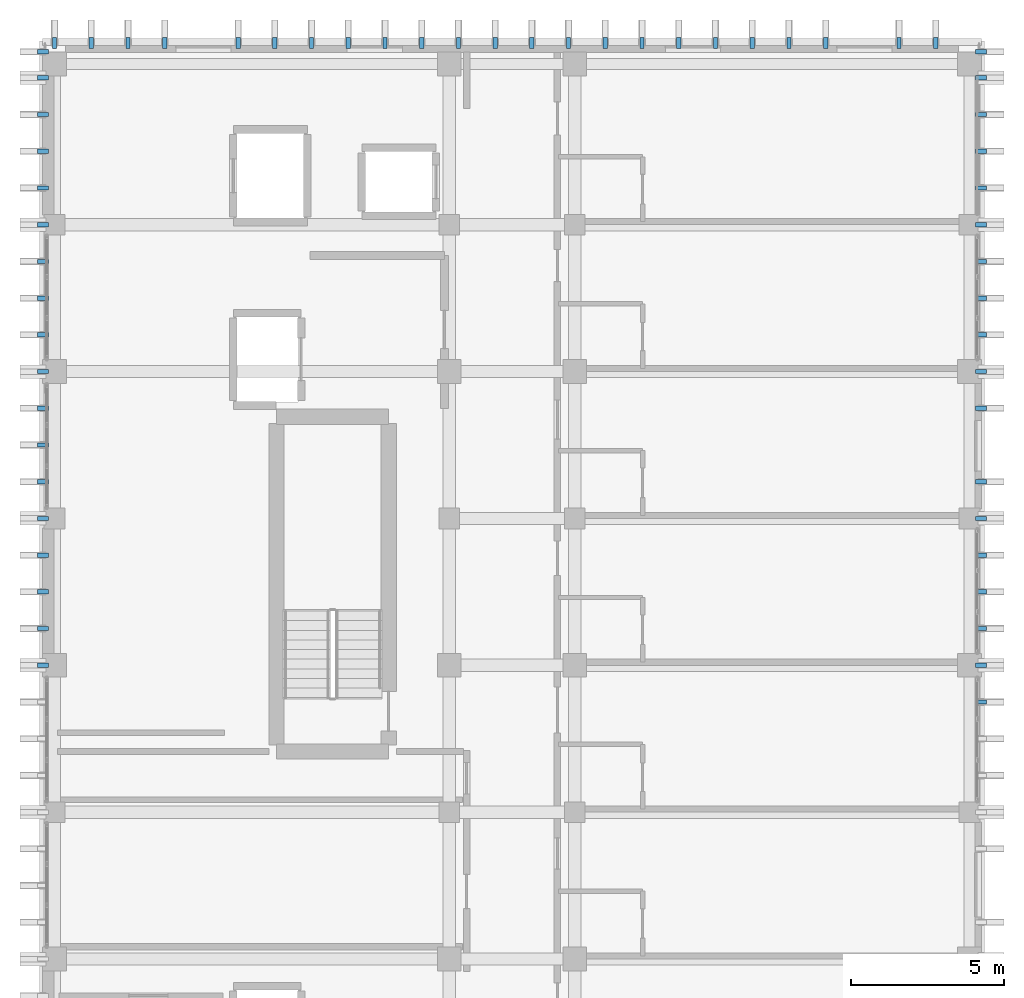
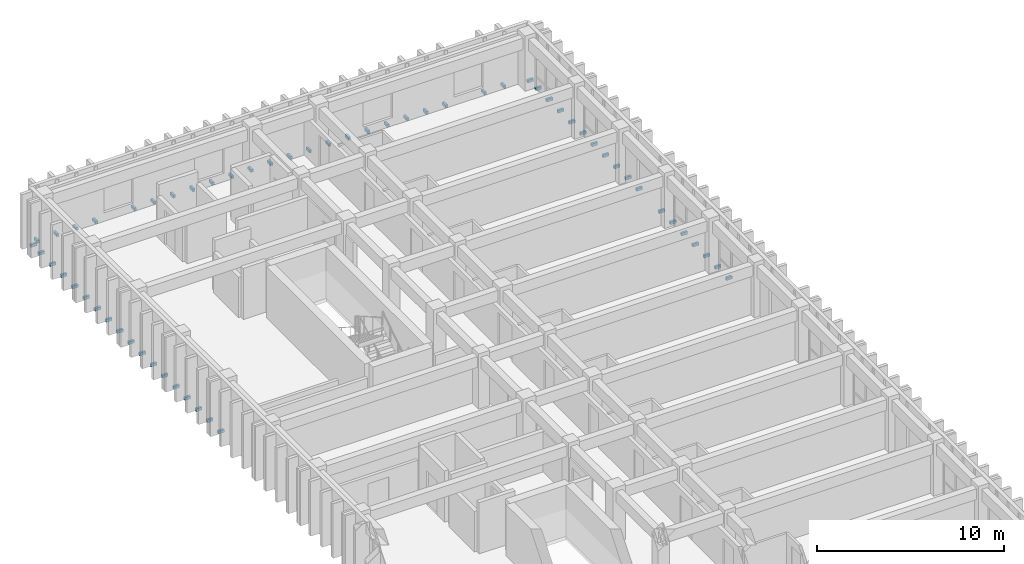
# One storey, part 62 of 68: 59 discrete accessories.
"""IFC4 building model written with IfcOpenShell, lengths in metres."""

from ifc_helpers import new_model, si_unit, direction, frame, origin, origin_2d, place, context, subcontext, project, spatial, rectangle, extrude, material, type_object, element, save


model = new_model("IFC4")

# Units and contexts
model_context = context("Model", 3, precision=1e-05, world=origin(), true_north=direction((0.0, 1.0)))
body_context = subcontext(model_context, "Body", "Model", "MODEL_VIEW")
ifc_project = project(units=[si_unit("LENGTHUNIT", "METRE"), si_unit("AREAUNIT", "SQUARE_METRE"), si_unit("VOLUMEUNIT", "CUBIC_METRE"), si_unit("PLANEANGLEUNIT", "RADIAN"), si_unit("MASSUNIT", "GRAM", prefix="KILO")], contexts=[model_context])

# Site, building, storey
site_placement = place(None, origin())
site = spatial("IfcSite", under=ifc_project, at=site_placement, CompositionType="ELEMENT")
building_placement = place(site_placement, origin())
building = spatial("IfcBuilding", under=site, at=building_placement, Name="Nakhvara Creek Congress Hotel", CompositionType="ELEMENT")
storey_placement = place(building_placement, frame((0.0, 0.0, 24.60009765625)))
storey = spatial("IfcBuildingStorey", under=building, at=storey_placement, Name="L05", CompositionType="ELEMENT", Elevation=24.60009765625)

# Discrete accessories
ifc_material = material(Name="Brushed stainless steel 316L", Category="steel")
discrete_accessory_type = type_object("IfcDiscreteAccessoryType", Name="ACC-BRK-SS316", PredefinedType="BRACKET", material=ifc_material)
for number, where, z_axis, x_axis, name in (
    (1, (179.72998046875, 104.39990234375, -0.10986328125), (0.0, 0.0, 1.0), (0.0, 1.0, 0.0), "Stainless Fin Bracket BK01-1403"),
    (2, (179.72998046875, 105.60009765625, -0.10986328125), (0.0, 0.0, 1.0), (0.0, 1.0, 0.0), "Stainless Fin Bracket BK01-1405"),
    (3, (149.070068359375, 105.60009765625, -0.10986328125), (0.0, 0.0, 1.0), (0.0, 1.0, 0.0), "Stainless Fin Bracket BK01-1406"),
    (4, (179.72998046875, 106.800048828125, -0.10986328125), (0.0, 0.0, 1.0), (0.0, 1.0, 0.0), "Stainless Fin Bracket BK01-1407"),
    (5, (149.070068359375, 106.800048828125, -0.10986328125), (0.0, 0.0, 1.0), (0.0, 1.0, 0.0), "Stainless Fin Bracket BK01-1408"),
    (6, (179.72998046875, 108.0, -0.10986328125), (0.0, 0.0, 1.0), (0.0, 1.0, 0.0), "Stainless Fin Bracket BK01-1409"),
    (7, (149.070068359375, 108.0, -0.10986328125), (0.0, 0.0, 1.0), (0.0, 1.0, 0.0), "Stainless Fin Bracket BK01-1410"),
    (8, (179.72998046875, 109.199951171875, -0.10986328125), (0.0, 0.0, 1.0), (0.0, 1.0, 0.0), "Stainless Fin Bracket BK01-1411"),
    (9, (149.070068359375, 109.199951171875, -0.10986328125), (0.0, 0.0, 1.0), (0.0, 1.0, 0.0), "Stainless Fin Bracket BK01-1412"),
    (10, (179.72998046875, 110.39990234375, -0.10986328125), (0.0, 0.0, 1.0), (0.0, 1.0, 0.0), "Stainless Fin Bracket BK01-1413"),
    (11, (149.070068359375, 110.39990234375, -0.10986328125), (0.0, 0.0, 1.0), (0.0, 1.0, 0.0), "Stainless Fin Bracket BK01-1414"),
    (12, (179.72998046875, 111.60009765625, -0.10986328125), (0.0, 0.0, 1.0), (0.0, 1.0, 0.0), "Stainless Fin Bracket BK01-1415"),
    (13, (149.070068359375, 111.60009765625, -0.10986328125), (0.0, 0.0, 1.0), (0.0, 1.0, 0.0), "Stainless Fin Bracket BK01-1416"),
    (14, (149.070068359375, 112.800048828125, -0.10986328125), (0.0, 0.0, 1.0), (0.0, 1.0, 0.0), "Stainless Fin Bracket BK01-1417"),
    (15, (179.72998046875, 114.0, -0.10986328125), (0.0, 0.0, 1.0), (0.0, 1.0, 0.0), "Stainless Fin Bracket BK01-1418"),
    (16, (149.070068359375, 114.0, -0.10986328125), (0.0, 0.0, 1.0), (0.0, 1.0, 0.0), "Stainless Fin Bracket BK01-1419"),
    (17, (179.72998046875, 115.199951171875, -0.10986328125), (0.0, 0.0, 1.0), (0.0, 1.0, 0.0), "Stainless Fin Bracket BK01-1420"),
    (18, (149.070068359375, 115.199951171875, -0.10986328125), (0.0, 0.0, 1.0), (0.0, 1.0, 0.0), "Stainless Fin Bracket BK01-1421"),
    (19, (179.72998046875, 116.39990234375, -0.10986328125), (0.0, 0.0, 1.0), (0.0, 1.0, 0.0), "Stainless Fin Bracket BK01-1422"),
    (20, (149.070068359375, 116.39990234375, -0.10986328125), (0.0, 0.0, 1.0), (0.0, 1.0, 0.0), "Stainless Fin Bracket BK01-1423"),
    (21, (179.72998046875, 117.60009765625, -0.10986328125), (0.0, 0.0, 1.0), (0.0, 1.0, 0.0), "Stainless Fin Bracket BK01-1424"),
    (22, (149.070068359375, 117.60009765625, -0.10986328125), (0.0, 0.0, 1.0), (0.0, 1.0, 0.0), "Stainless Fin Bracket BK01-1425"),
    (23, (179.72998046875, 118.800048828125, -0.10986328125), (0.0, 0.0, 1.0), (0.0, 1.0, 0.0), "Stainless Fin Bracket BK01-1426"),
    (24, (149.070068359375, 118.800048828125, -0.10986328125), (0.0, 0.0, 1.0), (0.0, 1.0, 0.0), "Stainless Fin Bracket BK01-1427"),
    (25, (179.72998046875, 120.0, -0.10986328125), (0.0, 0.0, 1.0), (0.0, 1.0, 0.0), "Stainless Fin Bracket BK01-1428"),
    (26, (149.070068359375, 120.0, -0.10986328125), (0.0, 0.0, 1.0), (0.0, 1.0, 0.0), "Stainless Fin Bracket BK01-1429"),
    (27, (179.72998046875, 121.199951171875, -0.10986328125), (0.0, 0.0, 1.0), (0.0, 1.0, 0.0), "Stainless Fin Bracket BK01-1430"),
    (28, (149.070068359375, 121.199951171875, -0.10986328125), (0.0, 0.0, 1.0), (0.0, 1.0, 0.0), "Stainless Fin Bracket BK01-1431"),
    (29, (179.72998046875, 122.39990234375, -0.10986328125), (0.0, 0.0, 1.0), (0.0, 1.0, 0.0), "Stainless Fin Bracket BK01-1432"),
    (30, (149.070068359375, 122.39990234375, -0.10986328125), (0.0, 0.0, 1.0), (0.0, 1.0, 0.0), "Stainless Fin Bracket BK01-1433"),
    (31, (179.72998046875, 123.60009765625, -0.10986328125), (0.0, 0.0, 1.0), (0.0, 1.0, 0.0), "Stainless Fin Bracket BK01-1434"),
    (32, (149.070068359375, 123.60009765625, -0.10986328125), (0.0, 0.0, 1.0), (0.0, 1.0, 0.0), "Stainless Fin Bracket BK01-1435"),
    (33, (179.72998046875, 124.800048828125, -0.10986328125), (0.0, 0.0, 1.0), (0.0, 1.0, 0.0), "Stainless Fin Bracket BK01-1436"),
    (34, (149.070068359375, 124.800048828125, -0.10986328125), (0.0, 0.0, 1.0), (0.0, 1.0, 0.0), "Stainless Fin Bracket BK01-1437"),
    (35, (179.72998046875, 125.64990234375, -0.10986328125), (0.0, 0.0, 1.0), (0.0, 1.0, 0.0), "Stainless Fin Bracket BK01-1438"),
    (36, (149.070068359375, 125.64990234375, -0.10986328125), (0.0, 0.0, 1.0), (0.0, 1.0, 0.0), "Stainless Fin Bracket BK01-1439"),
    (37, (149.449951171875, 125.93994140625, -0.10986328125), (0.0, 0.0, 1.0), (1.0, 0.0, 0.0), "Stainless Fin Bracket BK01-1440"),
    (38, (150.64990234375, 125.93994140625, -0.10986328125), (0.0, 0.0, 1.0), (1.0, 0.0, 0.0), "Stainless Fin Bracket BK01-1442"),
    (39, (151.85009765625, 125.93994140625, -0.10986328125), (0.0, 0.0, 1.0), (1.0, 0.0, 0.0), "Stainless Fin Bracket BK01-1444"),
    (40, (153.050048828125, 125.93994140625, -0.10986328125), (0.0, 0.0, 1.0), (1.0, 0.0, 0.0), "Stainless Fin Bracket BK01-1446"),
    (41, (155.449951171875, 125.93994140625, -0.10986328125), (0.0, 0.0, 1.0), (1.0, 0.0, 0.0), "Stainless Fin Bracket BK01-1449"),
    (42, (156.64990234375, 125.93994140625, -0.10986328125), (0.0, 0.0, 1.0), (1.0, 0.0, 0.0), "Stainless Fin Bracket BK01-1451"),
    (43, (157.85009765625, 125.93994140625, -0.10986328125), (0.0, 0.0, 1.0), (1.0, 0.0, 0.0), "Stainless Fin Bracket BK01-1453"),
    (44, (159.050048828125, 125.93994140625, -0.10986328125), (0.0, 0.0, 1.0), (1.0, 0.0, 0.0), "Stainless Fin Bracket BK01-1455"),
    (45, (160.25, 125.93994140625, -0.10986328125), (0.0, 0.0, 1.0), (1.0, 0.0, 0.0), "Stainless Fin Bracket BK01-1457"),
    (46, (161.449951171875, 125.93994140625, -0.10986328125), (0.0, 0.0, 1.0), (1.0, 0.0, 0.0), "Stainless Fin Bracket BK01-1459"),
    (47, (162.64990234375, 125.93994140625, -0.10986328125), (0.0, 0.0, 1.0), (1.0, 0.0, 0.0), "Stainless Fin Bracket BK01-1461"),
    (48, (163.85009765625, 125.93994140625, -0.10986328125), (0.0, 0.0, 1.0), (1.0, 0.0, 0.0), "Stainless Fin Bracket BK01-1463"),
    (49, (165.050048828125, 125.93994140625, -0.10986328125), (0.0, 0.0, 1.0), (1.0, 0.0, 0.0), "Stainless Fin Bracket BK01-1464"),
    (50, (166.25, 125.93994140625, -0.10986328125), (0.0, 0.0, 1.0), (1.0, 0.0, 0.0), "Stainless Fin Bracket BK01-1465"),
    (51, (167.449951171875, 125.93994140625, -0.10986328125), (0.0, 0.0, 1.0), (1.0, 0.0, 0.0), "Stainless Fin Bracket BK01-1467"),
    (52, (168.64990234375, 125.93994140625, -0.10986328125), (0.0, 0.0, 1.0), (1.0, 0.0, 0.0), "Stainless Fin Bracket BK01-1469"),
    (53, (169.85009765625, 125.93994140625, -0.10986328125), (0.0, 0.0, 1.0), (1.0, 0.0, 0.0), "Stainless Fin Bracket BK01-1470"),
    (54, (171.050048828125, 125.93994140625, -0.10986328125), (0.0, 0.0, 1.0), (1.0, 0.0, 0.0), "Stainless Fin Bracket BK01-1472"),
    (55, (172.25, 125.93994140625, -0.10986328125), (0.0, 0.0, 1.0), (1.0, 0.0, 0.0), "Stainless Fin Bracket BK01-1474"),
    (56, (173.449951171875, 125.93994140625, -0.10986328125), (0.0, 0.0, 1.0), (1.0, 0.0, 0.0), "Stainless Fin Bracket BK01-1476"),
    (57, (174.64990234375, 125.93994140625, -0.10986328125), (0.0, 0.0, 1.0), (1.0, 0.0, 0.0), "Stainless Fin Bracket BK01-1478"),
    (58, (177.050048828125, 125.93994140625, -0.10986328125), (0.0, 0.0, 1.0), (1.0, 0.0, 0.0), "Stainless Fin Bracket BK01-1481"),
    (59, (178.25, 125.93994140625, -0.10986328125), (0.0, 0.0, 1.0), (1.0, 0.0, 0.0), "Stainless Fin Bracket BK01-1483"),
):
    element("IfcDiscreteAccessory", number, at=place(storey_placement, frame(where, z_axis=z_axis, x_axis=x_axis)), inside=storey, type_object=discrete_accessory_type, Name=name, PredefinedType="BRACKET", context=body_context, shape_type="SweptSolid", body=[
        extrude(rectangle(XDim=0.139892578125, YDim=0.360107421875, at=origin_2d()), origin(), (0.0, 0.0, 1.0), 0.179931640625),
    ])

save(model, "model.ifc")
